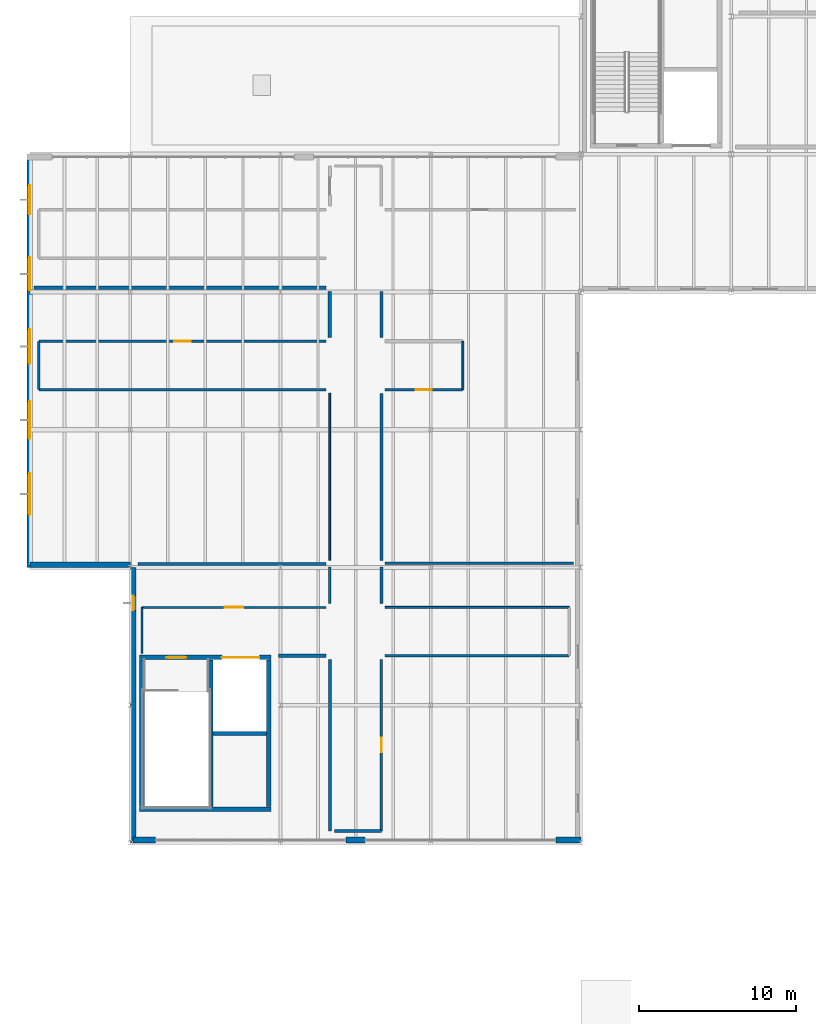
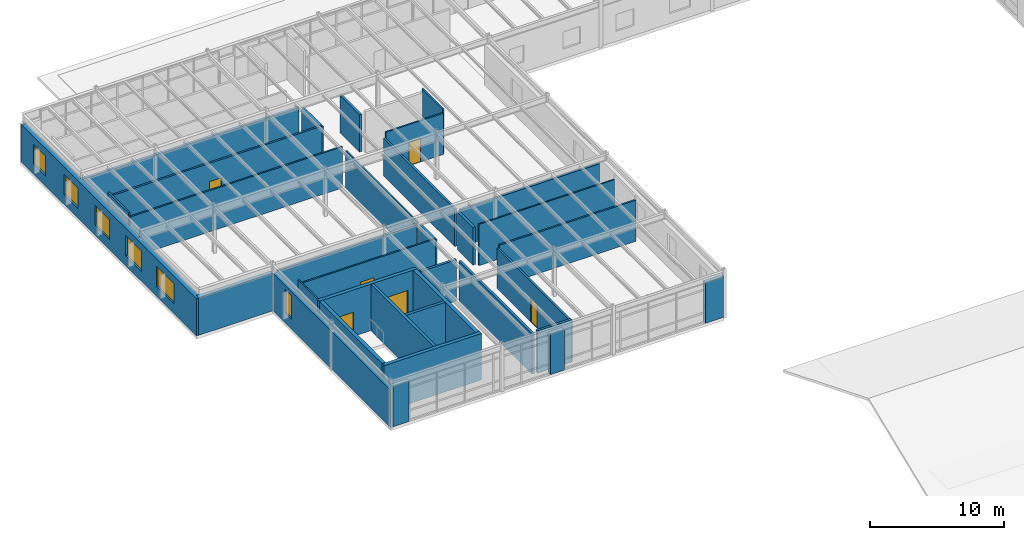
# One storey, part 49 of 69: 34 walls, 6 doors, 6 windows, 12 openings.
"""IFC4 building model written with IfcOpenShell, lengths in metres."""

from ifc_helpers import new_model, si_unit, direction, frame, frame_2d, origin, place, context, subcontext, project, spatial, rectangle, extrude, material, layer, layer_set, type_object, element, fill, save


model = new_model("IFC4")

# Units and contexts
model_context = context("Model", 3, precision=1e-05, world=origin(), true_north=direction((0.0, 1.0)))
body_context = subcontext(model_context, "Body", "Model", "MODEL_VIEW")
ifc_project = project(units=[si_unit("LENGTHUNIT", "METRE"), si_unit("AREAUNIT", "SQUARE_METRE"), si_unit("VOLUMEUNIT", "CUBIC_METRE"), si_unit("PLANEANGLEUNIT", "RADIAN"), si_unit("MASSUNIT", "GRAM", prefix="KILO")], contexts=[model_context])

# Site, building, storey
site_placement = place(None, origin())
site = spatial("IfcSite", under=ifc_project, at=site_placement, CompositionType="ELEMENT")
building_placement = place(site_placement, origin())
building = spatial("IfcBuilding", under=site, at=building_placement, Name="Sarnbrook Museum", CompositionType="ELEMENT")
storey_placement = place(building_placement, frame((0.0, 0.0, 14.60009765625)))
storey = spatial("IfcBuildingStorey", under=building, at=storey_placement, Name="L03", CompositionType="ELEMENT", Elevation=14.60009765625)

# Wall
ifc_material_1 = material(Name="Concrete N50 (AS 3600, f'c = 50 MPa)", Category="concrete")
ifc_layer_1 = layer(ifc_material_1, 0.300048828125)
ifc_layer_set_1 = layer_set([ifc_layer_1], Name="Concrete N50 (AS 3600, f'c = 50 MPa)")
wall_type_1 = type_object("IfcWallType", Name="CoreWall_CWRC", PredefinedType="SHEAR", material=ifc_layer_set_1)
wall_1_placement = place(storey_placement, frame((14.199951171875, 41.35009765625, 0.0), z_axis=(0.0, 0.0, 1.0), x_axis=(1.0, 0.0, 0.0)))
element("IfcWall", 1, at=wall_1_placement, inside=storey, type_object=wall_type_1, Name="Core C5 Shear Wall S L03", PredefinedType="SHEAR", context=body_context, shape_type="SweptSolid", body=[
    extrude(rectangle(XDim=8.400146484375, YDim=0.300048828125, at=frame_2d((4.2001953125, 0.0))), origin(), (0.0, 0.0, 1.0), 4.244873046875),
])

# Wall, openings, doors
wall_2_placement = place(storey_placement, frame((22.60009765625, 51.050048828125, 0.0), z_axis=(0.0, 0.0, 1.0), x_axis=(-1.0, 0.0, 0.0)))
wall_2 = element("IfcWall", 2, at=wall_2_placement, inside=storey, type_object=wall_type_1, Name="Core C5 Shear Wall N L03", PredefinedType="SHEAR", context=body_context, shape_type="SweptSolid", body=[
    extrude(rectangle(XDim=8.400146484375, YDim=0.300048828125, at=frame_2d((4.2001953125, 0.0))), origin(), (0.0, 0.0, 1.0), 4.244873046875),
])
opening_1_placement = place(wall_2_placement, frame((5.43505859375, 0.0, 0.0)))
opening_1 = element("IfcOpeningElement", 3, at=opening_1_placement, cuts=wall_2, Name="Opening D-ST-ST5-L03", PredefinedType="OPENING", context=body_context, shape_type="SweptSolid", body=[
    extrude(rectangle(XDim=1.25, YDim=2.199951171875, at=frame_2d((0.625, 1.10009765625))), frame((0.0, 0.16015625, 0.0), z_axis=(0.0, -1.0, 0.0), x_axis=(1.0, 0.0, 0.0)), (0.0, 0.0, 1.0), 0.320068359375),
])
opening_2_placement = place(wall_2_placement, frame((0.75, 0.0, 0.0)))
opening_2 = element("IfcOpeningElement", 4, at=opening_2_placement, cuts=wall_2, Name="Opening LD-GL1-L03", PredefinedType="OPENING", context=body_context, shape_type="SweptSolid", body=[
    extrude(rectangle(XDim=2.39990234375, YDim=2.550048828125, at=frame_2d((1.199951171875, 1.27490234375))), frame((0.0, 0.16015625, 0.0), z_axis=(0.0, -1.0, 0.0), x_axis=(1.0, 0.0, 0.0)), (0.0, 0.0, 1.0), 0.320068359375),
])
ifc_material_2 = material(Name="Tasmanian Oak Acoustic Timber", Category="wood")
door_type_1 = type_object("IfcDoorType", Name="FireDoor_FD120", OperationType="NOTDEFINED", PredefinedType="DOOR", material=ifc_material_2)
door_1_placement = place(opening_1_placement, origin())
door_1 = element("IfcDoor", 5, at=door_1_placement, inside=storey, type_object=door_type_1, Name="Exit Stair ST5 Fire Door L03", OperationType="SINGLE_SWING_RIGHT", OverallHeight=2.199951171875, OverallWidth=1.25, PredefinedType="DOOR", context=body_context, shape_type="SweptSolid", body=[
    extrude(rectangle(XDim=1.25, YDim=2.199951171875, at=frame_2d((0.625, 1.10009765625))), frame((0.0, 0.02490234375, 0.0), z_axis=(0.0, -1.0, 0.0), x_axis=(1.0, 0.0, 0.0)), (0.0, 0.0, 1.0), 0.050048828125),
])
fill(opening_1, door_1)
ifc_material_3 = material(Name="Brushed Stainless Steel Grade 316", Category="steel")
door_type_2 = type_object("IfcDoorType", Name="LiftDoor_Goods240", OperationType="DOUBLE_DOOR_SLIDING", PredefinedType="DOOR", material=ifc_material_3)
door_2_placement = place(opening_2_placement, origin())
door_2 = element("IfcDoor", 6, at=door_2_placement, inside=storey, type_object=door_type_2, Name="Lift Landing Sliding Door LD-GL1-L03", OperationType="DOUBLE_DOOR_SLIDING", OverallHeight=2.550048828125, OverallWidth=2.39990234375, PredefinedType="DOOR", context=body_context, shape_type="SweptSolid", body=[
    extrude(rectangle(XDim=2.39990234375, YDim=2.550048828125, at=frame_2d((1.199951171875, 1.27490234375))), frame((0.0, 0.02490234375, 0.0), z_axis=(0.0, -1.0, 0.0), x_axis=(1.0, 0.0, 0.0)), (0.0, 0.0, 1.0), 0.050048828125),
])
fill(opening_2, door_2)

# Walls
for number, where, z_axis, x_axis, name in (
    (7, (22.449951171875, 41.510009765625, 0.0), (0.0, 0.0, 1.0), (0.0, 1.0, 0.0), "Core C5 Shear Wall E L03"),
    (8, (14.35009765625, 50.889892578125, 0.0), (0.0, 0.0, 1.0), (0.0, -1.0, 0.0), "Core C5 Shear Wall W L03"),
):
    element("IfcWall", number, at=place(storey_placement, frame(where, z_axis=z_axis, x_axis=x_axis)), inside=storey, type_object=wall_type_1, Name=name, PredefinedType="SHEAR", context=body_context, shape_type="SweptSolid", body=[
        extrude(rectangle(XDim=9.3798828125, YDim=0.300048828125, at=frame_2d((4.68994140625, 0.0))), origin(), (0.0, 0.0, 1.0), 4.244873046875),
    ])
ifc_material_4 = material(Name="Fire-Rated Acoustic Gypsum Plasterboard")
ifc_layer_2 = layer(ifc_material_4, 0.1201171875)
ifc_layer_set_2 = layer_set([ifc_layer_2], Name="Fire-Rated Acoustic Gypsum Plasterboard")
wall_type_2 = type_object("IfcWallType", Name="PartWall_P120", PredefinedType="PARTITIONING", material=ifc_layer_set_2)
wall_3_placement = place(storey_placement, frame((26.35009765625, 67.919921875, 0.0), z_axis=(0.0, 0.0, 1.0), x_axis=(0.0, -1.0, 0.0)))
element("IfcWall", 9, at=wall_3_placement, inside=storey, type_object=wall_type_2, Name="Interior Partition Wall L03-0671", PredefinedType="PARTITIONING", context=body_context, shape_type="SweptSolid", body=[
    extrude(rectangle(XDim=10.669921875, YDim=0.1201171875, at=frame_2d((5.3349609375, 0.0))), origin(), (0.0, 0.0, 1.0), 3.419921875),
])
wall_4_placement = place(storey_placement, frame((14.35009765625, 54.239990234375, 0.0), z_axis=(0.0, 0.0, 1.0), x_axis=(0.0, -1.0, 0.0)))
element("IfcWall", 10, at=wall_4_placement, inside=storey, type_object=wall_type_2, Name="Interior Partition Wall L03-0678", PredefinedType="PARTITIONING", context=body_context, shape_type="SweptSolid", body=[
    extrude(rectangle(XDim=2.919921875, YDim=0.1201171875, at=frame_2d((1.4599609375, 0.0))), origin(), (0.0, 0.0, 1.0), 4.1298828125),
])
wall_5_placement = place(storey_placement, frame((41.639892578125, 54.25, 0.0), z_axis=(0.0, 0.0, 1.0), x_axis=(-1.0, 0.0, 0.0)))
element("IfcWall", 11, at=wall_5_placement, inside=storey, type_object=wall_type_2, Name="Interior Partition Wall L03-0685", PredefinedType="PARTITIONING", context=body_context, shape_type="SweptSolid", body=[
    extrude(rectangle(XDim=11.760009765625, YDim=0.1201171875, at=frame_2d((5.8798828125, 0.0))), origin(), (0.0, 0.0, 1.0), 3.762939453125),
])
wall_6_placement = place(storey_placement, frame((34.85009765625, 68.159912109375, 0.0), z_axis=(0.0, 0.0, 1.0), x_axis=(0.0, 1.0, 0.0)))
element("IfcWall", 12, at=wall_6_placement, inside=storey, type_object=wall_type_2, Name="Interior Partition Wall L03-0692", PredefinedType="PARTITIONING", context=body_context, shape_type="SweptSolid", body=[
    extrude(rectangle(XDim=3.080078125, YDim=0.1201171875, at=frame_2d((1.5400390625, 0.0))), origin(), (0.0, 0.0, 1.0), 4.1298828125),
])
ifc_layer_3 = layer(ifc_material_4, 0.135009765625)
ifc_layer_set_3 = layer_set([ifc_layer_3], Name="Fire-Rated Acoustic Gypsum Plasterboard")
wall_type_3 = type_object("IfcWallType", Name="PartWall_P135", PredefinedType="PARTITIONING", material=ifc_layer_set_3)
wall_7_placement = place(storey_placement, frame((7.760009765625, 68.14990234375, 0.0), z_axis=(0.0, 0.0, 1.0), x_axis=(1.0, 0.0, 0.0)))
element("IfcWall", 13, at=wall_7_placement, inside=storey, type_object=wall_type_3, Name="Interior Partition Wall L03-0670", PredefinedType="PARTITIONING", context=body_context, shape_type="SweptSolid", body=[
    extrude(rectangle(XDim=18.360107421875, YDim=0.135009765625, at=frame_2d((9.18017578125, 0.0))), origin(), (0.0, 0.0, 1.0), 3.762939453125),
])

# Wall, opening, door
wall_8_placement = place(storey_placement, frame((26.1201171875, 54.25, 0.0), z_axis=(0.0, 0.0, 1.0), x_axis=(-1.0, 0.0, 0.0)))
wall_8 = element("IfcWall", 14, at=wall_8_placement, inside=storey, type_object=wall_type_3, Name="Interior Partition Wall L03-0677", PredefinedType="PARTITIONING", context=body_context, shape_type="SweptSolid", body=[
    extrude(rectangle(XDim=11.760009765625, YDim=0.135009765625, at=frame_2d((5.8798828125, 0.0))), origin(), (0.0, 0.0, 1.0), 3.762939453125),
])
opening_3_placement = place(wall_8_placement, frame((5.2900390625, 0.0, 0.0)))
opening_3 = element("IfcOpeningElement", 15, at=opening_3_placement, cuts=wall_8, Name="Opening D-L03-196", PredefinedType="OPENING", context=body_context, shape_type="SweptSolid", body=[
    extrude(rectangle(XDim=1.179931640625, YDim=2.080078125, at=frame_2d((0.58984375, 1.0400390625))), frame((0.0, 0.07763671875, 0.0), z_axis=(0.0, -1.0, 0.0), x_axis=(1.0, 0.0, 0.0)), (0.0, 0.0, 1.0), 0.155029296875),
])
door_type_3 = type_object("IfcDoorType", Name="IntDoor_DT06", OperationType="NOTDEFINED", PredefinedType="DOOR", material=ifc_material_2)
door_3_placement = place(opening_3_placement, frame((1.179931640625, 0.0, 0.0), z_axis=(0.0, 0.0, 1.0), x_axis=(-1.0, 0.0, 0.0)))
door_3 = element("IfcDoor", 16, at=door_3_placement, inside=storey, type_object=door_type_3, Name="Botanical Illustrations & Rare Folios L03-25 Door D-L03-196", OperationType="SINGLE_SWING_LEFT", OverallHeight=2.080078125, OverallWidth=1.179931640625, PredefinedType="DOOR", context=body_context, shape_type="SweptSolid", body=[
    extrude(rectangle(XDim=1.179931640625, YDim=2.080078125, at=frame_2d((0.58984375, 1.0400390625))), frame((0.0, 0.02490234375, 0.0), z_axis=(0.0, -1.0, 0.0), x_axis=(1.0, 0.0, 0.0)), (0.0, 0.0, 1.0), 0.050048828125),
])
fill(opening_3, door_3)

wall_9_placement = place(storey_placement, frame((29.8798828125, 68.14990234375, 0.0), z_axis=(0.0, 0.0, 1.0), x_axis=(1.0, 0.0, 0.0)))
wall_9 = element("IfcWall", 17, at=wall_9_placement, inside=storey, type_object=wall_type_3, Name="Interior Partition Wall L03-0691", PredefinedType="PARTITIONING", context=body_context, shape_type="SweptSolid", body=[
    extrude(rectangle(XDim=4.960205078125, YDim=0.135009765625, at=frame_2d((2.47998046875, 0.0))), origin(), (0.0, 0.0, 1.0), 3.762939453125),
])
opening_4_placement = place(wall_9_placement, frame((1.965087890625, 0.0, 0.0)))
opening_4 = element("IfcOpeningElement", 18, at=opening_4_placement, cuts=wall_9, Name="Opening D-L03-199", PredefinedType="OPENING", context=body_context, shape_type="SweptSolid", body=[
    extrude(rectangle(XDim=1.030029296875, YDim=2.159912109375, at=frame_2d((0.51513671875, 1.080078125))), frame((0.0, 0.07763671875, 0.0), z_axis=(0.0, -1.0, 0.0), x_axis=(1.0, 0.0, 0.0)), (0.0, 0.0, 1.0), 0.155029296875),
])
door_type_4 = type_object("IfcDoorType", Name="IntDoor_DT09", OperationType="NOTDEFINED", PredefinedType="DOOR", material=ifc_material_2)
door_4_placement = place(opening_4_placement, origin())
door_4 = element("IfcDoor", 19, at=door_4_placement, inside=storey, type_object=door_type_4, Name="Molecular DNA Conservation Lab L03-28 Door D-L03-199", OperationType="SINGLE_SWING_RIGHT", OverallHeight=2.159912109375, OverallWidth=1.030029296875, PredefinedType="DOOR", context=body_context, shape_type="SweptSolid", body=[
    extrude(rectangle(XDim=1.030029296875, YDim=2.159912109375, at=frame_2d((0.51513671875, 1.080078125))), frame((0.0, 0.02490234375, 0.0), z_axis=(0.0, -1.0, 0.0), x_axis=(1.0, 0.0, 0.0)), (0.0, 0.0, 1.0), 0.050048828125),
])
fill(opening_4, door_4)

# Walls
ifc_layer_4 = layer(ifc_material_4, 0.14990234375)
ifc_layer_set_4 = layer_set([ifc_layer_4], Name="Fire-Rated Acoustic Gypsum Plasterboard")
wall_type_4 = type_object("IfcWallType", Name="PartWall_P150", PredefinedType="PARTITIONING", material=ifc_layer_set_4)
wall_10_placement = place(storey_placement, frame((7.75, 71.239990234375, 0.0), z_axis=(0.0, 0.0, 1.0), x_axis=(0.0, -1.0, 0.0)))
element("IfcWall", 20, at=wall_10_placement, inside=storey, type_object=wall_type_4, Name="Interior Partition Wall L03-0669", PredefinedType="PARTITIONING", context=body_context, shape_type="SweptSolid", body=[
    extrude(rectangle(XDim=3.080078125, YDim=0.14990234375, at=frame_2d((1.5400390625, 0.0))), origin(), (0.0, 0.0, 1.0), 4.1298828125),
])
wall_11_placement = place(storey_placement, frame((29.8798828125, 51.14990234375, 0.0), z_axis=(0.0, 0.0, 1.0), x_axis=(1.0, 0.0, 0.0)))
element("IfcWall", 21, at=wall_11_placement, inside=storey, type_object=wall_type_4, Name="Interior Partition Wall L03-0683", PredefinedType="PARTITIONING", context=body_context, shape_type="SweptSolid", body=[
    extrude(rectangle(XDim=11.760009765625, YDim=0.14990234375, at=frame_2d((5.8798828125, 0.0))), origin(), (0.0, 0.0, 1.0), 3.762939453125),
])

# Wall, opening, door
ifc_layer_5 = layer(ifc_material_4, 0.1650390625)
ifc_layer_set_5 = layer_set([ifc_layer_5], Name="Fire-Rated Acoustic Gypsum Plasterboard")
wall_type_5 = type_object("IfcWallType", Name="PartWall_P165", PredefinedType="PARTITIONING", material=ifc_layer_set_5)
wall_12_placement = place(storey_placement, frame((26.1201171875, 71.25, 0.0), z_axis=(0.0, 0.0, 1.0), x_axis=(-1.0, 0.0, 0.0)))
wall_12 = element("IfcWall", 22, at=wall_12_placement, inside=storey, type_object=wall_type_5, Name="Interior Partition Wall L03-0668", PredefinedType="PARTITIONING", context=body_context, shape_type="SweptSolid", body=[
    extrude(rectangle(XDim=18.360107421875, YDim=0.1650390625, at=frame_2d((9.18017578125, 0.0))), origin(), (0.0, 0.0, 1.0), 3.762939453125),
])
opening_5_placement = place(wall_12_placement, frame((8.659912109375, 0.0, 0.0)))
opening_5 = element("IfcOpeningElement", 23, at=opening_5_placement, cuts=wall_12, Name="Opening D-L03-194", PredefinedType="OPENING", context=body_context, shape_type="SweptSolid", body=[
    extrude(rectangle(XDim=1.0400390625, YDim=2.080078125, at=frame_2d((0.52001953125, 1.0400390625))), frame((0.0, 0.092529296875, 0.0), z_axis=(0.0, -1.0, 0.0), x_axis=(1.0, 0.0, 0.0)), (0.0, 0.0, 1.0), 0.18505859375),
])
door_type_5 = type_object("IfcDoorType", Name="IntDoor_DT04", OperationType="NOTDEFINED", PredefinedType="DOOR", material=ifc_material_2)
door_5_placement = place(opening_5_placement, frame((1.0400390625, 0.0, 0.0), z_axis=(0.0, 0.0, 1.0), x_axis=(-1.0, 0.0, 0.0)))
door_5 = element("IfcDoor", 24, at=door_5_placement, inside=storey, type_object=door_type_5, Name="Natural History Library & Reading Room L03-23 Door D-L03-194", OperationType="SINGLE_SWING_LEFT", OverallHeight=2.080078125, OverallWidth=1.0400390625, PredefinedType="DOOR", context=body_context, shape_type="SweptSolid", body=[
    extrude(rectangle(XDim=1.0400390625, YDim=2.080078125, at=frame_2d((0.52001953125, 1.0400390625))), frame((0.0, 0.02490234375, 0.0), z_axis=(0.0, -1.0, 0.0), x_axis=(1.0, 0.0, 0.0)), (0.0, 0.0, 1.0), 0.050048828125),
])
fill(opening_5, door_5)

wall_13_placement = place(storey_placement, frame((29.64990234375, 39.9599609375, 0.0), z_axis=(0.0, 0.0, 1.0), x_axis=(0.0, 1.0, 0.0)))
wall_13 = element("IfcWall", 25, at=wall_13_placement, inside=storey, type_object=wall_type_5, Name="Interior Partition Wall L03-0682", PredefinedType="PARTITIONING", context=body_context, shape_type="SweptSolid", body=[
    extrude(rectangle(XDim=10.9599609375, YDim=0.1650390625, at=frame_2d((5.47998046875, 0.0))), origin(), (0.0, 0.0, 1.0), 3.68701171875),
])
opening_6_placement = place(wall_13_placement, frame((5.02001953125, 0.0, 0.0)))
opening_6 = element("IfcOpeningElement", 26, at=opening_6_placement, cuts=wall_13, Name="Opening D-L03-197", PredefinedType="OPENING", context=body_context, shape_type="SweptSolid", body=[
    extrude(rectangle(XDim=0.919921875, YDim=2.159912109375, at=frame_2d((0.4599609375, 1.080078125))), frame((0.0, 0.092529296875, 0.0), z_axis=(0.0, -1.0, 0.0), x_axis=(1.0, 0.0, 0.0)), (0.0, 0.0, 1.0), 0.18505859375),
])
door_type_6 = type_object("IfcDoorType", Name="IntDoor_DT07", OperationType="NOTDEFINED", PredefinedType="DOOR", material=ifc_material_2)
door_6_placement = place(opening_6_placement, frame((0.919921875, 0.0, 0.0), z_axis=(0.0, 0.0, 1.0), x_axis=(-1.0, 0.0, 0.0)))
door_6 = element("IfcDoor", 27, at=door_6_placement, inside=storey, type_object=door_type_6, Name="Meteorites & Planetary Science Hall L03-26 Door D-L03-197", OperationType="SINGLE_SWING_RIGHT", OverallHeight=2.159912109375, OverallWidth=0.919921875, PredefinedType="DOOR", context=body_context, shape_type="SweptSolid", body=[
    extrude(rectangle(XDim=0.919921875, YDim=2.159912109375, at=frame_2d((0.4599609375, 1.080078125))), frame((0.0, 0.02490234375, 0.0), z_axis=(0.0, -1.0, 0.0), x_axis=(1.0, 0.0, 0.0)), (0.0, 0.0, 1.0), 0.050048828125),
])
fill(opening_6, door_6)

# Walls
ifc_layer_6 = layer(ifc_material_4, 0.179931640625)
ifc_layer_set_6 = layer_set([ifc_layer_6], Name="Fire-Rated Acoustic Gypsum Plasterboard")
wall_type_6 = type_object("IfcWallType", Name="PartWall_P180", PredefinedType="PARTITIONING", material=ifc_layer_set_6)
wall_14_placement = place(storey_placement, frame((26.35009765625, 56.830078125, 0.0), z_axis=(0.0, 0.0, 1.0), x_axis=(0.0, -1.0, 0.0)))
element("IfcWall", 28, at=wall_14_placement, inside=storey, type_object=wall_type_6, Name="Interior Partition Wall L03-0681", PredefinedType="PARTITIONING", context=body_context, shape_type="SweptSolid", body=[
    extrude(rectangle(XDim=2.35009765625, YDim=0.179931640625, at=frame_2d((1.175048828125, 0.0))), origin(), (0.0, 0.0, 1.0), 3.419921875),
])
wall_15_placement = place(storey_placement, frame((29.64990234375, 57.25, 0.0), z_axis=(0.0, 0.0, 1.0), x_axis=(0.0, 1.0, 0.0)))
element("IfcWall", 29, at=wall_15_placement, inside=storey, type_object=wall_type_6, Name="Interior Partition Wall L03-0695", PredefinedType="PARTITIONING", context=body_context, shape_type="SweptSolid", body=[
    extrude(rectangle(XDim=10.669921875, YDim=0.179931640625, at=frame_2d((5.3349609375, 0.0))), origin(), (0.0, 0.0, 1.0), 3.419921875),
])
wall_16_placement = place(storey_placement, frame((29.8798828125, 57.06005859375, 0.0), z_axis=(0.0, 0.0, 1.0), x_axis=(1.0, 0.0, 0.0)))
element("IfcWall", 30, at=wall_16_placement, inside=storey, type_object=wall_type_6, Name="Interior Partition Wall L03-0723", PredefinedType="PARTITIONING", context=body_context, shape_type="SweptSolid", body=[
    extrude(rectangle(XDim=12.0400390625, YDim=0.179931640625, at=frame_2d((6.02001953125, 0.0))), origin(), (0.0, 0.0, 1.0), 3.419921875),
])
ifc_layer_7 = layer(ifc_material_4, 0.195068359375)
ifc_layer_set_7 = layer_set([ifc_layer_7], Name="Fire-Rated Acoustic Gypsum Plasterboard")
wall_type_7 = type_object("IfcWallType", Name="PartWall_P195", PredefinedType="PARTITIONING", material=ifc_layer_set_7)
wall_17_placement = place(storey_placement, frame((26.35009765625, 50.919921875, 0.0), z_axis=(0.0, 0.0, 1.0), x_axis=(0.0, -1.0, 0.0)))
element("IfcWall", 31, at=wall_17_placement, inside=storey, type_object=wall_type_7, Name="Interior Partition Wall L03-0680", PredefinedType="PARTITIONING", context=body_context, shape_type="SweptSolid", body=[
    extrude(rectangle(XDim=10.9599609375, YDim=0.195068359375, at=frame_2d((5.47998046875, 0.0))), origin(), (0.0, 0.0, 1.0), 3.68701171875),
])
wall_18_placement = place(storey_placement, frame((26.64990234375, 39.949951171875, 0.0), z_axis=(0.0, 0.0, 1.0), x_axis=(1.0, 0.0, 0.0)))
element("IfcWall", 32, at=wall_18_placement, inside=storey, type_object=wall_type_7, Name="Interior Partition Wall L03-0687", PredefinedType="PARTITIONING", context=body_context, shape_type="SweptSolid", body=[
    extrude(rectangle(XDim=2.989990234375, YDim=0.195068359375, at=frame_2d((1.4951171875, 0.0))), origin(), (0.0, 0.0, 1.0), 3.864013671875),
])
wall_19_placement = place(storey_placement, frame((29.64990234375, 71.47998046875, 0.0), z_axis=(0.0, 0.0, 1.0), x_axis=(0.0, 1.0, 0.0)))
element("IfcWall", 33, at=wall_19_placement, inside=storey, type_object=wall_type_7, Name="Interior Partition Wall L03-0694", PredefinedType="PARTITIONING", context=body_context, shape_type="SweptSolid", body=[
    extrude(rectangle(XDim=2.949951171875, YDim=0.195068359375, at=frame_2d((1.47509765625, 0.0))), origin(), (0.0, 0.0, 1.0), 3.419921875),
])
wall_20_placement = place(storey_placement, frame((26.1201171875, 57.02001953125, 0.0), z_axis=(0.0, 0.0, 1.0), x_axis=(-1.0, 0.0, 0.0)))
element("IfcWall", 34, at=wall_20_placement, inside=storey, type_object=wall_type_7, Name="Interior Partition Wall L03-0722", PredefinedType="PARTITIONING", context=body_context, shape_type="SweptSolid", body=[
    extrude(rectangle(XDim=12.0400390625, YDim=0.195068359375, at=frame_2d((6.02001953125, 0.0))), origin(), (0.0, 0.0, 1.0), 3.419921875),
])
ifc_layer_8 = layer(ifc_material_4, 0.2099609375)
ifc_layer_set_8 = layer_set([ifc_layer_8], Name="Fire-Rated Acoustic Gypsum Plasterboard")
wall_type_8 = type_object("IfcWallType", Name="PartWall_P210", PredefinedType="PARTITIONING", material=ifc_layer_set_8)
wall_21_placement = place(storey_placement, frame((26.35009765625, 74.429931640625, 0.0), z_axis=(0.0, 0.0, 1.0), x_axis=(0.0, -1.0, 0.0)))
element("IfcWall", 35, at=wall_21_placement, inside=storey, type_object=wall_type_8, Name="Interior Partition Wall L03-0672", PredefinedType="PARTITIONING", context=body_context, shape_type="SweptSolid", body=[
    extrude(rectangle(XDim=2.949951171875, YDim=0.2099609375, at=frame_2d((1.47509765625, 0.0))), origin(), (0.0, 0.0, 1.0), 3.419921875),
])
wall_22_placement = place(storey_placement, frame((23.080078125, 51.14990234375, 0.0), z_axis=(0.0, 0.0, 1.0), x_axis=(1.0, 0.0, 0.0)))
element("IfcWall", 36, at=wall_22_placement, inside=storey, type_object=wall_type_8, Name="Interior Partition Wall L03-0679", PredefinedType="PARTITIONING", context=body_context, shape_type="SweptSolid", body=[
    extrude(rectangle(XDim=3.0400390625, YDim=0.2099609375, at=frame_2d((1.52001953125, 0.0))), origin(), (0.0, 0.0, 1.0), 3.762939453125),
])
wall_23_placement = place(storey_placement, frame((29.64990234375, 54.47998046875, 0.0), z_axis=(0.0, 0.0, 1.0), x_axis=(0.0, 1.0, 0.0)))
element("IfcWall", 37, at=wall_23_placement, inside=storey, type_object=wall_type_8, Name="Interior Partition Wall L03-0686", PredefinedType="PARTITIONING", context=body_context, shape_type="SweptSolid", body=[
    extrude(rectangle(XDim=2.35009765625, YDim=0.2099609375, at=frame_2d((1.175048828125, 0.0))), origin(), (0.0, 0.0, 1.0), 3.419921875),
])
wall_24_placement = place(storey_placement, frame((7.449951171875, 74.659912109375, 0.0), z_axis=(0.0, 0.0, 1.0), x_axis=(1.0, 0.0, 0.0)))
element("IfcWall", 38, at=wall_24_placement, inside=storey, type_object=wall_type_8, Name="Interior Partition Wall L03-0721", PredefinedType="PARTITIONING", context=body_context, shape_type="SweptSolid", body=[
    extrude(rectangle(XDim=18.670166015625, YDim=0.2099609375, at=frame_2d((9.3349609375, 0.0))), origin(), (0.0, 0.0, 1.0), 3.419921875),
])
ifc_material_5 = material(Name="Concrete N40 (AS 3600, f'c = 40 MPa)", Category="concrete")
ifc_layer_9 = layer(ifc_material_5, 0.239990234375)
ifc_layer_set_9 = layer_set([ifc_layer_9], Name="Concrete N40 (AS 3600, f'c = 40 MPa)")
wall_type_9 = type_object("IfcWallType", Name="ShaftWall_SWRC", PredefinedType="SOLIDWALL", material=ifc_layer_set_9)
wall_25_placement = place(storey_placement, frame((18.77001953125, 41.510009765625, 0.0), z_axis=(0.0, 0.0, 1.0), x_axis=(0.0, 1.0, 0.0)))
element("IfcWall", 39, at=wall_25_placement, inside=storey, type_object=wall_type_9, Name="Stairwell ST5 Fire Shaft Wall L03", PredefinedType="SOLIDWALL", context=body_context, shape_type="SweptSolid", body=[
    extrude(rectangle(XDim=9.3798828125, YDim=0.239990234375, at=frame_2d((4.68994140625, 0.0))), origin(), (0.0, 0.0, 1.0), 4.244873046875),
])
wall_26_placement = place(storey_placement, frame((18.89990234375, 46.179931640625, 0.0), z_axis=(0.0, 0.0, 1.0), x_axis=(1.0, 0.0, 0.0)))
element("IfcWall", 40, at=wall_26_placement, inside=storey, type_object=wall_type_9, Name="Lift GL1 Shaft Rear Wall L03", PredefinedType="SOLIDWALL", context=body_context, shape_type="SweptSolid", body=[
    extrude(rectangle(XDim=3.39013671875, YDim=0.239990234375, at=frame_2d((1.695068359375, 0.0))), origin(), (0.0, 0.0, 1.0), 4.244873046875),
])

# Wall, openings, windows
ifc_material_6 = material(Name="Barrabool Sandstone Ashlar Cladding", Category="masonry")
ifc_layer_10 = layer(ifc_material_6, 0.360107421875)
ifc_layer_set_10 = layer_set([ifc_layer_10], Name="Barrabool Sandstone Ashlar Cladding")
wall_type_10 = type_object("IfcWallType", Name="Wall_SandstoneExt360", PredefinedType="SOLIDWALL", material=ifc_layer_set_10)
wall_27_placement = place(storey_placement, frame((7.179931640625, 83.013916015625, 0.0), z_axis=(0.0, 0.0, 1.0), x_axis=(0.0, -1.0, 0.0)))
wall_27 = element("IfcWall", 41, at=wall_27_placement, inside=storey, type_object=wall_type_10, Name="Classical Sandstone Facade Wall L03-11", PredefinedType="SOLIDWALL", context=body_context, shape_type="SweptSolid", body=[
    extrude(rectangle(XDim=26.2138671875, YDim=0.360107421875, at=frame_2d((13.10693359375, 0.0))), origin(), (0.0, 0.0, 1.0), 3.434814453125),
])
opening_7_placement = place(wall_27_placement, frame((1.800048828125, 0.0, 0.89990234375)))
opening_7 = element("IfcOpeningElement", 42, at=opening_7_placement, cuts=wall_27, Name="Opening WT-18", PredefinedType="OPENING", context=body_context, shape_type="SweptSolid", body=[
    extrude(rectangle(XDim=1.85009765625, YDim=1.85009765625, at=frame_2d((0.925048828125, 0.925048828125))), frame((0.0, 0.18994140625, 0.0), z_axis=(0.0, -1.0, 0.0), x_axis=(1.0, 0.0, 0.0)), (0.0, 0.0, 1.0), 0.380126953125),
])
opening_8_placement = place(wall_27_placement, frame((6.39990234375, 0.0, 0.89990234375)))
opening_8 = element("IfcOpeningElement", 43, at=opening_8_placement, cuts=wall_27, Name="Opening WT-19", PredefinedType="OPENING", context=body_context, shape_type="SweptSolid", body=[
    extrude(rectangle(XDim=2.1201171875, YDim=1.85009765625, at=frame_2d((1.06005859375, 0.925048828125))), frame((0.0, 0.18994140625, 0.0), z_axis=(0.0, -1.0, 0.0), x_axis=(1.0, 0.0, 0.0)), (0.0, 0.0, 1.0), 0.380126953125),
])
opening_9_placement = place(wall_27_placement, frame((11.0, 0.0, 0.89990234375)))
opening_9 = element("IfcOpeningElement", 44, at=opening_9_placement, cuts=wall_27, Name="Opening WT-20", PredefinedType="OPENING", context=body_context, shape_type="SweptSolid", body=[
    extrude(rectangle(XDim=2.199951171875, YDim=1.85009765625, at=frame_2d((1.10009765625, 0.925048828125))), frame((0.0, 0.18994140625, 0.0), z_axis=(0.0, -1.0, 0.0), x_axis=(1.0, 0.0, 0.0)), (0.0, 0.0, 1.0), 0.380126953125),
])
opening_10_placement = place(wall_27_placement, frame((15.60009765625, 0.0, 0.89990234375)))
opening_10 = element("IfcOpeningElement", 45, at=opening_10_placement, cuts=wall_27, Name="Opening WT-21", PredefinedType="OPENING", context=body_context, shape_type="SweptSolid", body=[
    extrude(rectangle(XDim=2.39990234375, YDim=1.85009765625, at=frame_2d((1.199951171875, 0.925048828125))), frame((0.0, 0.18994140625, 0.0), z_axis=(0.0, -1.0, 0.0), x_axis=(1.0, 0.0, 0.0)), (0.0, 0.0, 1.0), 0.380126953125),
])
opening_11_placement = place(wall_27_placement, frame((20.199951171875, 0.0, 0.89990234375)))
opening_11 = element("IfcOpeningElement", 46, at=opening_11_placement, cuts=wall_27, Name="Opening WT-22", PredefinedType="OPENING", context=body_context, shape_type="SweptSolid", body=[
    extrude(rectangle(XDim=2.64990234375, YDim=1.85009765625, at=frame_2d((1.324951171875, 0.925048828125))), frame((0.0, 0.18994140625, 0.0), z_axis=(0.0, -1.0, 0.0), x_axis=(1.0, 0.0, 0.0)), (0.0, 0.0, 1.0), 0.380126953125),
])
ifc_material_7 = material(Name="Double-Glazed Low-Iron Laminated Safety Glass", Category="glass")
window_type_1 = type_object("IfcWindowType", Name="Window_Classical_WT18", PartitioningType="SINGLE_PANEL", PredefinedType="WINDOW", material=ifc_material_7)
window_1_placement = place(opening_7_placement, origin())
window_1 = element("IfcWindow", 47, at=window_1_placement, inside=storey, type_object=window_type_1, Name="Classical Bronze Casement Window WIN:L03:0106", OverallHeight=1.85009765625, OverallWidth=1.85009765625, PartitioningType="SINGLE_PANEL", PredefinedType="WINDOW", context=body_context, shape_type="SweptSolid", body=[
    extrude(rectangle(XDim=1.85009765625, YDim=1.85009765625, at=frame_2d((0.925048828125, 0.925048828125))), frame((0.0, 0.030029296875, 0.0), z_axis=(0.0, -1.0, 0.0), x_axis=(1.0, 0.0, 0.0)), (0.0, 0.0, 1.0), 0.06005859375),
])
fill(opening_7, window_1)
window_type_2 = type_object("IfcWindowType", Name="Window_Classical_WT19", PartitioningType="SINGLE_PANEL", PredefinedType="WINDOW", material=ifc_material_7)
window_2_placement = place(opening_8_placement, origin())
window_2 = element("IfcWindow", 48, at=window_2_placement, inside=storey, type_object=window_type_2, Name="Classical Bronze Casement Window WIN:L03:0107", OverallHeight=1.85009765625, OverallWidth=2.1201171875, PartitioningType="SINGLE_PANEL", PredefinedType="WINDOW", context=body_context, shape_type="SweptSolid", body=[
    extrude(rectangle(XDim=2.1201171875, YDim=1.85009765625, at=frame_2d((1.06005859375, 0.925048828125))), frame((0.0, 0.030029296875, 0.0), z_axis=(0.0, -1.0, 0.0), x_axis=(1.0, 0.0, 0.0)), (0.0, 0.0, 1.0), 0.06005859375),
])
fill(opening_8, window_2)
window_type_3 = type_object("IfcWindowType", Name="Window_Classical_WT20", PartitioningType="SINGLE_PANEL", PredefinedType="WINDOW", material=ifc_material_7)
window_3_placement = place(opening_9_placement, origin())
window_3 = element("IfcWindow", 49, at=window_3_placement, inside=storey, type_object=window_type_3, Name="Classical Bronze Casement Window WIN:L03:0108", OverallHeight=1.85009765625, OverallWidth=2.199951171875, PartitioningType="SINGLE_PANEL", PredefinedType="WINDOW", context=body_context, shape_type="SweptSolid", body=[
    extrude(rectangle(XDim=2.199951171875, YDim=1.85009765625, at=frame_2d((1.10009765625, 0.925048828125))), frame((0.0, 0.030029296875, 0.0), z_axis=(0.0, -1.0, 0.0), x_axis=(1.0, 0.0, 0.0)), (0.0, 0.0, 1.0), 0.06005859375),
])
fill(opening_9, window_3)
window_type_4 = type_object("IfcWindowType", Name="Window_Classical_WT21", PartitioningType="SINGLE_PANEL", PredefinedType="WINDOW", material=ifc_material_7)
window_4_placement = place(opening_10_placement, origin())
window_4 = element("IfcWindow", 50, at=window_4_placement, inside=storey, type_object=window_type_4, Name="Classical Bronze Casement Window WIN:L03:0109", OverallHeight=1.85009765625, OverallWidth=2.39990234375, PartitioningType="SINGLE_PANEL", PredefinedType="WINDOW", context=body_context, shape_type="SweptSolid", body=[
    extrude(rectangle(XDim=2.39990234375, YDim=1.85009765625, at=frame_2d((1.199951171875, 0.925048828125))), frame((0.0, 0.030029296875, 0.0), z_axis=(0.0, -1.0, 0.0), x_axis=(1.0, 0.0, 0.0)), (0.0, 0.0, 1.0), 0.06005859375),
])
fill(opening_10, window_4)
window_type_5 = type_object("IfcWindowType", Name="Window_Classical_WT22", PartitioningType="SINGLE_PANEL", PredefinedType="WINDOW", material=ifc_material_7)
window_5_placement = place(opening_11_placement, origin())
window_5 = element("IfcWindow", 51, at=window_5_placement, inside=storey, type_object=window_type_5, Name="Classical Bronze Casement Window WIN:L03:0110", OverallHeight=1.85009765625, OverallWidth=2.64990234375, PartitioningType="SINGLE_PANEL", PredefinedType="WINDOW", context=body_context, shape_type="SweptSolid", body=[
    extrude(rectangle(XDim=2.64990234375, YDim=1.85009765625, at=frame_2d((1.324951171875, 0.925048828125))), frame((0.0, 0.030029296875, 0.0), z_axis=(0.0, -1.0, 0.0), x_axis=(1.0, 0.0, 0.0)), (0.0, 0.0, 1.0), 0.06005859375),
])
fill(opening_11, window_5)

# Wall
wall_28_placement = place(storey_placement, frame((7.18603515625, 56.97998046875, 0.0), z_axis=(0.0, 0.0, 1.0), x_axis=(1.0, 0.0, 0.0)))
element("IfcWall", 52, at=wall_28_placement, inside=storey, type_object=wall_type_10, Name="Classical Sandstone Facade Wall L03-12", PredefinedType="SOLIDWALL", context=body_context, shape_type="SweptSolid", body=[
    extrude(rectangle(XDim=6.4140625, YDim=0.360107421875, at=frame_2d((3.20703125, 0.0))), origin(), (0.0, 0.0, 1.0), 3.434814453125),
])

# Wall, opening, window
wall_29_placement = place(storey_placement, frame((13.780029296875, 56.800048828125, 0.0), z_axis=(0.0, 0.0, 1.0), x_axis=(0.0, -1.0, 0.0)))
wall_29 = element("IfcWall", 53, at=wall_29_placement, inside=storey, type_object=wall_type_10, Name="Classical Sandstone Facade Wall L03-13", PredefinedType="SOLIDWALL", context=body_context, shape_type="SweptSolid", body=[
    extrude(rectangle(XDim=17.60009765625, YDim=0.360107421875, at=frame_2d((8.800048828125, 0.0))), origin(), (0.0, 0.0, 1.0), 3.434814453125),
])
opening_12_placement = place(wall_29_placement, frame((1.800048828125, 0.0, 0.89990234375)))
opening_12 = element("IfcOpeningElement", 54, at=opening_12_placement, cuts=wall_29, Name="Opening WT-23", PredefinedType="OPENING", context=body_context, shape_type="SweptSolid", body=[
    extrude(rectangle(XDim=0.949951171875, YDim=2.14990234375, at=frame_2d((0.47509765625, 1.074951171875))), frame((0.0, 0.18994140625, 0.0), z_axis=(0.0, -1.0, 0.0), x_axis=(1.0, 0.0, 0.0)), (0.0, 0.0, 1.0), 0.380126953125),
])
window_type_6 = type_object("IfcWindowType", Name="Window_Classical_WT23", PartitioningType="SINGLE_PANEL", PredefinedType="WINDOW", material=ifc_material_7)
window_6_placement = place(opening_12_placement, origin())
window_6 = element("IfcWindow", 55, at=window_6_placement, inside=storey, type_object=window_type_6, Name="Classical Bronze Casement Window WIN:L03:0111", OverallHeight=2.14990234375, OverallWidth=0.949951171875, PartitioningType="SINGLE_PANEL", PredefinedType="WINDOW", context=body_context, shape_type="SweptSolid", body=[
    extrude(rectangle(XDim=0.949951171875, YDim=2.14990234375, at=frame_2d((0.47509765625, 1.074951171875))), frame((0.0, 0.030029296875, 0.0), z_axis=(0.0, -1.0, 0.0), x_axis=(1.0, 0.0, 0.0)), (0.0, 0.0, 1.0), 0.06005859375),
])
fill(opening_12, window_6)

# Walls
wall_30_placement = place(storey_placement, frame((13.785888671875, 39.3798828125, 0.0), z_axis=(0.0, 0.0, 1.0), x_axis=(1.0, 0.0, 0.0)))
element("IfcWall", 56, at=wall_30_placement, inside=storey, type_object=wall_type_10, Name="Classical Sandstone Facade Pier L03-14.1", PredefinedType="SOLIDWALL", context=body_context, shape_type="SweptSolid", body=[
    extrude(rectangle(XDim=1.4140625, YDim=0.360107421875, at=frame_2d((0.70703125, 0.0))), origin(), (0.0, 0.0, 1.0), 3.701904296875),
])
wall_31_placement = place(storey_placement, frame((27.39990234375, 39.3798828125, 0.0), z_axis=(0.0, 0.0, 1.0), x_axis=(1.0, 0.0, 0.0)))
element("IfcWall", 57, at=wall_31_placement, inside=storey, type_object=wall_type_10, Name="Classical Sandstone Facade Pier L03-14.2", PredefinedType="SOLIDWALL", context=body_context, shape_type="SweptSolid", body=[
    extrude(rectangle(XDim=1.2001953125, YDim=0.360107421875, at=frame_2d((0.60009765625, 0.0))), origin(), (0.0, 0.0, 1.0), 3.701904296875),
])
wall_32_placement = place(storey_placement, frame((40.800048828125, 39.3798828125, 0.0), z_axis=(0.0, 0.0, 1.0), x_axis=(1.0, 0.0, 0.0)))
element("IfcWall", 58, at=wall_32_placement, inside=storey, type_object=wall_type_10, Name="Classical Sandstone Facade Pier L03-14.3", PredefinedType="SOLIDWALL", context=body_context, shape_type="SweptSolid", body=[
    extrude(rectangle(XDim=1.599853515625, YDim=0.360107421875, at=frame_2d((0.7998046875, 0.0))), origin(), (0.0, 0.0, 1.0), 3.701904296875),
])

save(model, "model.ifc")
